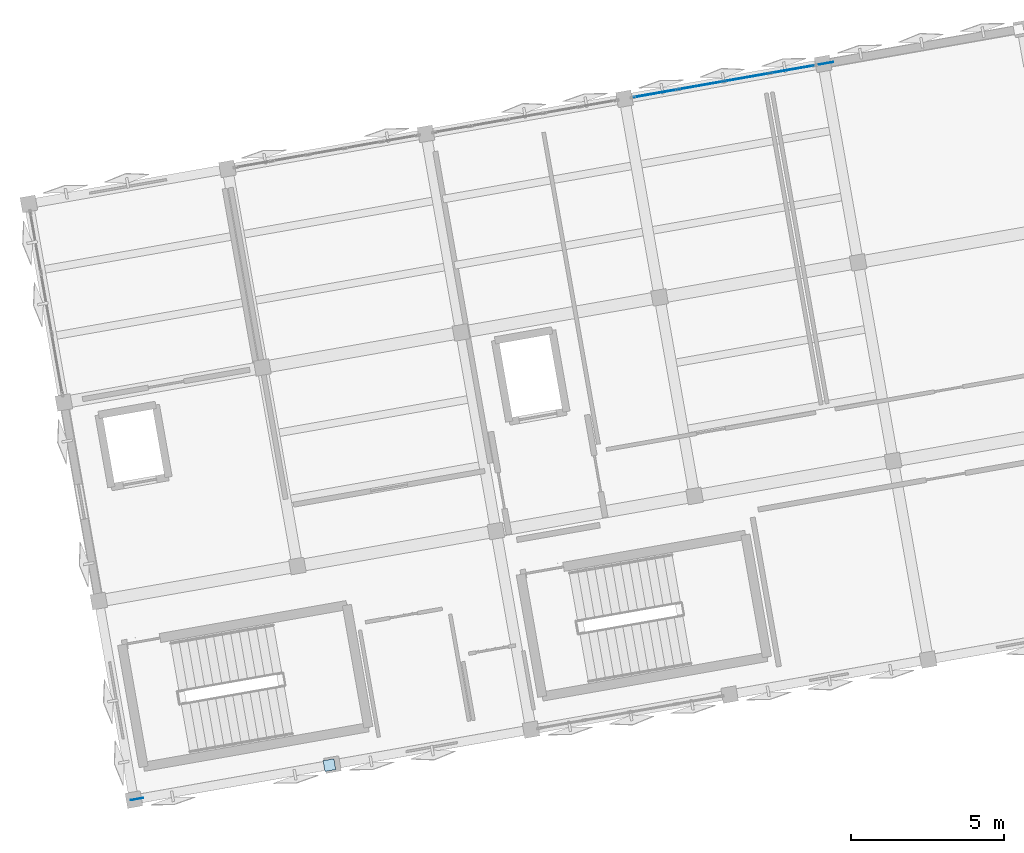
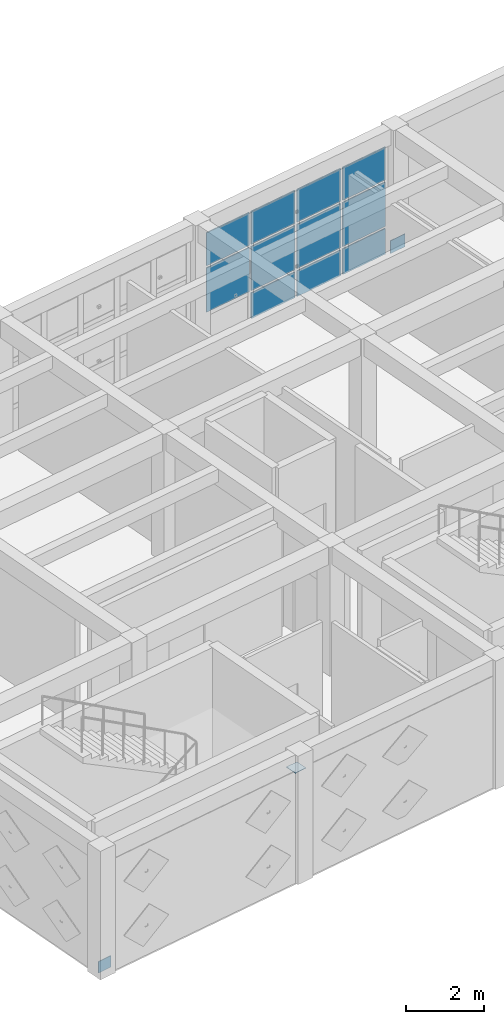
# One storey, part 10 of 15: 14 plates, 1 element without a shape of its own.
"""IFC4 building model written with IfcOpenShell, lengths in metres."""

from ifc_helpers import new_model, si_unit, direction, frame, origin, origin_2d, place, context, subcontext, project, spatial, rectangle, extrude, material, layer, layer_set, type_object, element, aggregate, save


model = new_model("IFC4")

# Units and contexts
model_context = context("Model", 3, precision=1e-05, world=origin(), true_north=direction((0.0, 1.0)))
body_context = subcontext(model_context, "Body", "Model", "MODEL_VIEW")
ifc_project = project(units=[si_unit("LENGTHUNIT", "METRE"), si_unit("AREAUNIT", "SQUARE_METRE"), si_unit("VOLUMEUNIT", "CUBIC_METRE"), si_unit("PLANEANGLEUNIT", "RADIAN"), si_unit("MASSUNIT", "GRAM", prefix="KILO")], contexts=[model_context])

# Site, building, storey
site_placement = place(None, origin())
site = spatial("IfcSite", under=ifc_project, at=site_placement, CompositionType="ELEMENT")
building_placement = place(site_placement, origin())
building = spatial("IfcBuilding", under=site, at=building_placement, Name="Kharisveld Research Institute", CompositionType="ELEMENT")
storey_placement = place(building_placement, frame((0.0, 0.0, 40.800048828125)))
storey = spatial("IfcBuildingStorey", under=building, at=storey_placement, Name="L09", CompositionType="ELEMENT", Elevation=40.800048828125)

# Curtain wall, plates
ifc_material_1 = material(Name="Thermally Broken Aluminium Curtain Wall", Category="aluminium")
ifc_layer_1 = layer(ifc_material_1, 0.159912109375)
ifc_layer_set_1 = layer_set([ifc_layer_1], Name="CW_SYS_03")
curtain_wall_type = type_object("IfcCurtainWallType", Name="CW_SYS_03", PredefinedType="NOTDEFINED", material=ifc_layer_set_1)
curtain_wall_placement = place(storey_placement, origin())
curtain_wall = element("IfcCurtainWall", 1, at=curtain_wall_placement, inside=storey, type_object=curtain_wall_type, Name="CW:V1:L09:N3", PredefinedType="NOTDEFINED")
ifc_material_2 = material(Name="Low-E Double Glazing", Category="glass")
ifc_layer_2 = layer(ifc_material_2, 0.028076171875)
ifc_layer_set_2 = layer_set([ifc_layer_2], Name="CW_PNL_GLZ")
plate_type_1 = type_object("IfcPlateType", Name="CW_PNL_GLZ", PredefinedType="CURTAIN_PANEL", material=ifc_layer_set_2)
plate_1_placement = place(storey_placement, frame((22.271728515625, 58.125732421875, 0.9326171875), z_axis=(0.0, 0.0, 1.0), x_axis=(0.984807761413, 0.173648130021, 0.0)))
plate_1 = element("IfcPlate", 2, at=plate_1_placement, type_object=plate_type_1, Name="CW-03 panel 1.2", PredefinedType="CURTAIN_PANEL", context=body_context, shape_type="SweptSolid", body=[
    extrude(rectangle(XDim=1.422607421875, YDim=0.028076171875, at=origin_2d()), origin(), (0.0, 0.0, 1.0), 1.385009765625),
])
plate_2_placement = place(storey_placement, frame((22.271728515625, 58.125732421875, 2.38232421875), z_axis=(0.0, 0.0, 1.0), x_axis=(0.984807761413, 0.173648130021, 0.0)))
plate_2 = element("IfcPlate", 3, at=plate_2_placement, type_object=plate_type_1, Name="CW-03 panel 1.3", PredefinedType="CURTAIN_PANEL", context=body_context, shape_type="SweptSolid", body=[
    extrude(rectangle(XDim=1.422607421875, YDim=0.028076171875, at=origin_2d()), origin(), (0.0, 0.0, 1.0), 1.032470703125),
])
plate_3_placement = place(storey_placement, frame((23.7587890625, 58.387939453125, 0.06494140625), z_axis=(0.0, 0.0, 1.0), x_axis=(0.984807761413, 0.173648130021, 0.0)))
plate_3 = element("IfcPlate", 4, at=plate_3_placement, type_object=plate_type_1, Name="CW-03 panel 2.1", PredefinedType="CURTAIN_PANEL", context=body_context, shape_type="SweptSolid", body=[
    extrude(rectangle(XDim=1.45751953125, YDim=0.028076171875, at=origin_2d()), origin(), (0.0, 0.0, 1.0), 0.802490234375),
])
plate_4_placement = place(storey_placement, frame((23.7587890625, 58.387939453125, 0.9326171875), z_axis=(0.0, 0.0, 1.0), x_axis=(0.984807761413, 0.173648130021, 0.0)))
plate_4 = element("IfcPlate", 5, at=plate_4_placement, type_object=plate_type_1, Name="CW-03 panel 2.2", PredefinedType="CURTAIN_PANEL", context=body_context, shape_type="SweptSolid", body=[
    extrude(rectangle(XDim=1.45751953125, YDim=0.028076171875, at=origin_2d()), origin(), (0.0, 0.0, 1.0), 1.385009765625),
])
plate_5_placement = place(storey_placement, frame((23.7587890625, 58.387939453125, 2.38232421875), z_axis=(0.0, 0.0, 1.0), x_axis=(0.984807761413, 0.173648130021, 0.0)))
plate_5 = element("IfcPlate", 6, at=plate_5_placement, type_object=plate_type_1, Name="CW-03 panel 2.3", PredefinedType="CURTAIN_PANEL", context=body_context, shape_type="SweptSolid", body=[
    extrude(rectangle(XDim=1.45751953125, YDim=0.028076171875, at=origin_2d()), origin(), (0.0, 0.0, 1.0), 1.032470703125),
])
plate_6_placement = place(storey_placement, frame((25.262939453125, 58.653076171875, 0.06494140625), z_axis=(0.0, 0.0, 1.0), x_axis=(0.984807761413, 0.173648130021, 0.0)))
plate_6 = element("IfcPlate", 7, at=plate_6_placement, type_object=plate_type_1, Name="CW-03 panel 3.1", PredefinedType="CURTAIN_PANEL", context=body_context, shape_type="SweptSolid", body=[
    extrude(rectangle(XDim=1.45751953125, YDim=0.028076171875, at=origin_2d()), origin(), (0.0, 0.0, 1.0), 0.802490234375),
])
plate_7_placement = place(storey_placement, frame((25.262939453125, 58.653076171875, 0.9326171875), z_axis=(0.0, 0.0, 1.0), x_axis=(0.984807761413, 0.173648130021, 0.0)))
plate_7 = element("IfcPlate", 8, at=plate_7_placement, type_object=plate_type_1, Name="CW-03 panel 3.2", PredefinedType="CURTAIN_PANEL", context=body_context, shape_type="SweptSolid", body=[
    extrude(rectangle(XDim=1.45751953125, YDim=0.028076171875, at=origin_2d()), origin(), (0.0, 0.0, 1.0), 1.385009765625),
])
plate_8_placement = place(storey_placement, frame((25.262939453125, 58.653076171875, 2.38232421875), z_axis=(0.0, 0.0, 1.0), x_axis=(0.984807761413, 0.173648130021, 0.0)))
plate_8 = element("IfcPlate", 9, at=plate_8_placement, type_object=plate_type_1, Name="CW-03 panel 3.3", PredefinedType="CURTAIN_PANEL", context=body_context, shape_type="SweptSolid", body=[
    extrude(rectangle(XDim=1.45751953125, YDim=0.028076171875, at=origin_2d()), origin(), (0.0, 0.0, 1.0), 1.032470703125),
])
plate_9_placement = place(storey_placement, frame((26.75, 58.915283203125, 0.06494140625), z_axis=(0.0, 0.0, 1.0), x_axis=(0.984807761413, 0.173648130021, 0.0)))
plate_9 = element("IfcPlate", 10, at=plate_9_placement, type_object=plate_type_1, Name="CW-03 panel 4.1", PredefinedType="CURTAIN_PANEL", context=body_context, shape_type="SweptSolid", body=[
    extrude(rectangle(XDim=1.422607421875, YDim=0.028076171875, at=origin_2d()), origin(), (0.0, 0.0, 1.0), 0.802490234375),
])
plate_10_placement = place(storey_placement, frame((26.75, 58.915283203125, 0.9326171875), z_axis=(0.0, 0.0, 1.0), x_axis=(0.984807761413, 0.173648130021, 0.0)))
plate_10 = element("IfcPlate", 11, at=plate_10_placement, type_object=plate_type_1, Name="CW-03 panel 4.2", PredefinedType="CURTAIN_PANEL", context=body_context, shape_type="SweptSolid", body=[
    extrude(rectangle(XDim=1.422607421875, YDim=0.028076171875, at=origin_2d()), origin(), (0.0, 0.0, 1.0), 1.385009765625),
])
plate_11_placement = place(storey_placement, frame((26.75, 58.915283203125, 2.38232421875), z_axis=(0.0, 0.0, 1.0), x_axis=(0.984807761413, 0.173648130021, 0.0)))
plate_11 = element("IfcPlate", 12, at=plate_11_placement, type_object=plate_type_1, Name="CW-03 panel 4.3", PredefinedType="CURTAIN_PANEL", context=body_context, shape_type="SweptSolid", body=[
    extrude(rectangle(XDim=1.422607421875, YDim=0.028076171875, at=origin_2d()), origin(), (0.0, 0.0, 1.0), 1.032470703125),
])
aggregate(curtain_wall, [plate_1, plate_2, plate_3, plate_4, plate_5, plate_6, plate_7, plate_8, plate_9, plate_10, plate_11])

# Plates
ifc_material_3 = material(Name="Steel S355JR", Category="steel")
ifc_layer_3 = layer(ifc_material_3, 0.013916015625)
ifc_layer_set_3 = layer_set([ifc_layer_3], Name="PL_CAP_A")
plate_type_2 = type_object("IfcPlateType", Name="PL_CAP_A", PredefinedType="SHEET", material=ifc_layer_set_3)
plate_12_placement = place(storey_placement, frame((11.601318359375, 36.138671875, 3.453125), z_axis=(0.0, 0.0, 1.0), x_axis=(0.984807753012, 0.173648177667, 0.0)))
element("IfcPlate", 13, at=plate_12_placement, inside=storey, type_object=plate_type_2, Name="PLT:V1:L09:CAP_0_0", PredefinedType="SHEET", context=body_context, shape_type="SweptSolid", body=[
    extrude(rectangle(XDim=0.360107421875, YDim=0.360107421875, at=origin_2d()), origin(), (0.0, 0.0, 1.0), 0.013916015625),
])
ifc_material_4 = material(Name="Steel S355JR", Category="steel")
ifc_layer_4 = layer(ifc_material_4, 0.01611328125)
ifc_layer_set_4 = layer_set([ifc_layer_4], Name="PL_GUS_A")
plate_type_3 = type_object("IfcPlateType", Name="PL_GUS_A", PredefinedType="USERDEFINED", material=ifc_layer_set_4)
plate_13_placement = place(storey_placement, frame((5.298583984375, 35.02734375, 0.02001953125), z_axis=(0.0, 0.0, 1.0), x_axis=(0.984807753012, 0.173648177667, 0.0)))
element("IfcPlate", 14, at=plate_13_placement, inside=storey, type_object=plate_type_3, Name="PLT:V1:L09:GUS_0_0", ObjectType="GUSSET PLATE", PredefinedType="USERDEFINED", context=body_context, shape_type="SweptSolid", body=[
    extrude(rectangle(XDim=0.419921875, YDim=0.01611328125, at=origin_2d()), origin(), (0.0, 0.0, 1.0), 0.360107421875),
])
ifc_material_5 = material(Name="Steel S355JR", Category="steel")
ifc_layer_5 = layer(ifc_material_5, 0.02001953125)
ifc_layer_set_5 = layer_set([ifc_layer_5], Name="PL_GUS_B")
plate_type_4 = type_object("IfcPlateType", Name="PL_GUS_B", PredefinedType="USERDEFINED", material=ifc_layer_set_5)
plate_14_placement = place(storey_placement, frame((27.859130859375, 59.11083984375, 0.0), z_axis=(0.0, 0.0, 1.0), x_axis=(0.984807753012, 0.173648177667, 0.0)))
element("IfcPlate", 15, at=plate_14_placement, inside=storey, type_object=plate_type_4, Name="PLT:V1:L09:GUS_4_3", ObjectType="GUSSET PLATE", PredefinedType="USERDEFINED", context=body_context, shape_type="SweptSolid", body=[
    extrude(rectangle(XDim=0.47998046875, YDim=0.02001953125, at=origin_2d()), origin(), (0.0, 0.0, 1.0), 0.39990234375),
])

save(model, "model.ifc")
